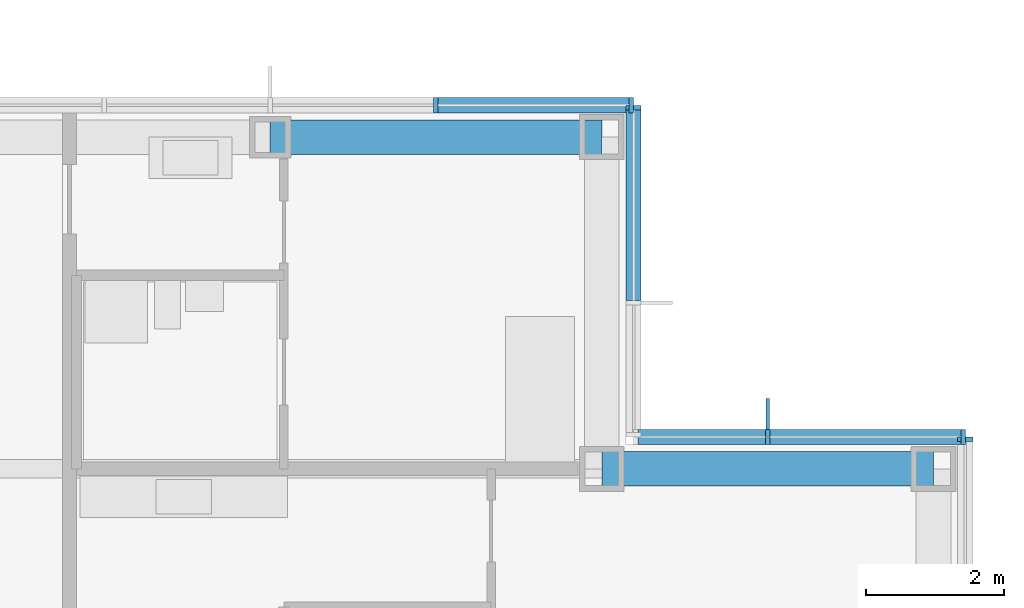
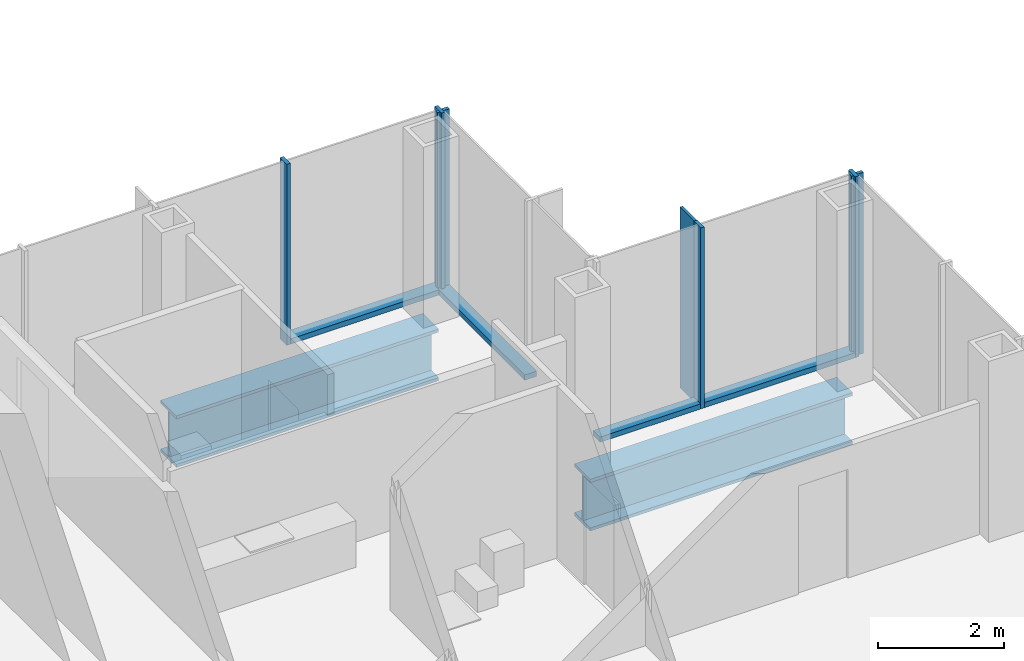
# One storey, part 9 of 20: 11 members, 2 beams, 4 elements without a shape of their own.
"""IFC4 building model written with IfcOpenShell, lengths in metres."""

from ifc_helpers import new_model, si_unit, direction, frame, origin, origin_2d, place, context, subcontext, project, spatial, rectangle, i_section, extrude, material, material_profile, profile_set, type_object, element, aggregate, save


model = new_model("IFC4")

# Units and contexts
model_context = context("Model", 3, precision=1e-05, world=origin(), true_north=direction((0.0, 1.0)))
body_context = subcontext(model_context, "Body", "Model", "MODEL_VIEW")
ifc_project = project(units=[si_unit("LENGTHUNIT", "METRE"), si_unit("AREAUNIT", "SQUARE_METRE"), si_unit("VOLUMEUNIT", "CUBIC_METRE"), si_unit("PLANEANGLEUNIT", "RADIAN"), si_unit("MASSUNIT", "GRAM", prefix="KILO")], contexts=[model_context])

# Site, building, storey
site_placement = place(None, origin())
site = spatial("IfcSite", under=ifc_project, at=site_placement, CompositionType="ELEMENT")
building_placement = place(site_placement, origin())
building = spatial("IfcBuilding", under=site, at=building_placement, Name="Kvirike Care Tower", CompositionType="ELEMENT")
storey_placement = place(building_placement, frame((0.0, 0.0, 105.0)))
storey = spatial("IfcBuildingStorey", under=building, at=storey_placement, Name="L28", CompositionType="ELEMENT", Elevation=105.0)

# Curtain wall, member
ifc_material_1 = material(Name="Anodised aluminium stick system", Category="aluminium")
curtain_wall_type = type_object("IfcCurtainWallType", Name="CW-B STICK CURTAIN WALL", PredefinedType="NOTDEFINED", material=ifc_material_1)
curtain_wall_1_placement = place(storey_placement, origin())
curtain_wall_1 = element("IfcCurtainWall", 1, at=curtain_wall_1_placement, inside=storey, type_object=curtain_wall_type, Name="Curtain wall L28 face 2", PredefinedType="NOTDEFINED")
ifc_material_2 = material(Name="Bronze anodised aluminium fin", Category="aluminium")
ifc_material_profile_1 = material_profile(ifc_material_2, rectangle(XDim=0.050048828125, YDim=0.449951171875, at=origin_2d()), Name="BRONZE FIN 450")
ifc_profile_set_1 = profile_set([ifc_material_profile_1], Name="Bronze anodised aluminium fin")
member_type_1 = type_object("IfcMemberType", Name="BRONZE FIN 450", PredefinedType="USERDEFINED", material=ifc_profile_set_1)
member_1_placement = place(storey_placement, frame((40.800048828125, 39.195068359375, 0.0), z_axis=(0.0, 0.0, 1.0), x_axis=(-1.0, 0.0, 0.0)))
member_1 = element("IfcMember", 2, at=member_1_placement, type_object=member_type_1, Name="Bronze fin L28 face 2.2", ObjectType="FIN", PredefinedType="USERDEFINED", context=body_context, shape_type="SweptSolid", body=[
    extrude(rectangle(XDim=0.050048828125, YDim=0.449951171875, at=origin_2d()), origin(), (0.0, 0.0, 1.0), 3.5),
])

curtain_wall_2_placement = place(storey_placement, origin())
curtain_wall_2 = element("IfcCurtainWall", 3, at=curtain_wall_2_placement, inside=storey, type_object=curtain_wall_type, Name="Curtain wall L28 face 1", PredefinedType="NOTDEFINED")
ifc_material_3 = material(Name="Bronze anodised aluminium mullion", Category="aluminium")
ifc_material_profile_2 = material_profile(ifc_material_3, rectangle(XDim=0.06494140625, YDim=0.219970703125, at=origin_2d()), Name="CW-B MULLION 65x220")
ifc_profile_set_2 = profile_set([ifc_material_profile_2], Name="Bronze anodised aluminium mullion")
member_type_2 = type_object("IfcMemberType", Name="CW-B MULLION 65x220", PredefinedType="MULLION", material=ifc_profile_set_2)
member_2_placement = place(storey_placement, frame((43.659912109375, 38.827392578125, 0.0), z_axis=(0.0, 0.0, 1.0), x_axis=(0.0, 1.0, 0.0)))
member_2 = element("IfcMember", 4, at=member_2_placement, type_object=member_type_2, Name="CW-B mullion L28 face 1.9", PredefinedType="MULLION", context=body_context, shape_type="SweptSolid", body=[
    extrude(rectangle(XDim=0.06494140625, YDim=0.219970703125, at=origin_2d()), origin(), (0.0, 0.0, 1.0), 3.5),
])
aggregate(curtain_wall_2, [member_2])

# Member
member_3_placement = place(storey_placement, frame((43.62744140625, 38.860107421875, 0.0), z_axis=(0.0, 0.0, 1.0), x_axis=(-1.0, 0.0, 0.0)))
member_3 = element("IfcMember", 5, at=member_3_placement, type_object=member_type_2, Name="CW-B mullion L28 face 2.1", PredefinedType="MULLION", context=body_context, shape_type="SweptSolid", body=[
    extrude(rectangle(XDim=0.06494140625, YDim=0.219970703125, at=origin_2d()), origin(), (0.0, 0.0, 1.0), 3.5),
])

member_4_placement = place(storey_placement, frame((40.800048828125, 38.860107421875, 0.0), z_axis=(0.0, 0.0, 1.0), x_axis=(-1.0, 0.0, 0.0)))
member_4 = element("IfcMember", 6, at=member_4_placement, type_object=member_type_2, Name="CW-B mullion L28 face 2.2", PredefinedType="MULLION", context=body_context, shape_type="SweptSolid", body=[
    extrude(rectangle(XDim=0.06494140625, YDim=0.219970703125, at=origin_2d()), origin(), (0.0, 0.0, 1.0), 3.5),
])

# Curtain wall, member
curtain_wall_3_placement = place(storey_placement, origin())
curtain_wall_3 = element("IfcCurtainWall", 7, at=curtain_wall_3_placement, inside=storey, type_object=curtain_wall_type, Name="Curtain wall L28 face 3", PredefinedType="NOTDEFINED")
member_5_placement = place(storey_placement, frame((38.860107421875, 43.62744140625, 0.0), z_axis=(0.0, 0.0, 1.0), x_axis=(0.0, 1.0, 0.0)))
member_5 = element("IfcMember", 8, at=member_5_placement, type_object=member_type_2, Name="CW-B mullion L28 face 3.3", PredefinedType="MULLION", context=body_context, shape_type="SweptSolid", body=[
    extrude(rectangle(XDim=0.06494140625, YDim=0.219970703125, at=origin_2d()), origin(), (0.0, 0.0, 1.0), 3.5),
])

# Curtain wall, members
curtain_wall_4_placement = place(storey_placement, origin())
curtain_wall_4 = element("IfcCurtainWall", 9, at=curtain_wall_4_placement, inside=storey, type_object=curtain_wall_type, Name="Curtain wall L28 face 4", PredefinedType="NOTDEFINED")
member_6_placement = place(storey_placement, frame((38.827392578125, 43.659912109375, 0.0), z_axis=(0.0, 0.0, 1.0), x_axis=(-1.0, 0.0, 0.0)))
member_6 = element("IfcMember", 10, at=member_6_placement, type_object=member_type_2, Name="CW-B mullion L28 face 4.1", PredefinedType="MULLION", context=body_context, shape_type="SweptSolid", body=[
    extrude(rectangle(XDim=0.06494140625, YDim=0.219970703125, at=origin_2d()), origin(), (0.0, 0.0, 1.0), 3.5),
])
member_7_placement = place(storey_placement, frame((36.0, 43.659912109375, 0.0), z_axis=(0.0, 0.0, 1.0), x_axis=(-1.0, 0.0, 0.0)))
member_7 = element("IfcMember", 11, at=member_7_placement, type_object=member_type_2, Name="CW-B mullion L28 face 4.2", PredefinedType="MULLION", context=body_context, shape_type="SweptSolid", body=[
    extrude(rectangle(XDim=0.06494140625, YDim=0.219970703125, at=origin_2d()), origin(), (0.0, 0.0, 1.0), 3.5),
])

# Member
ifc_material_4 = material(Name="Bronze anodised aluminium transom", Category="aluminium")
ifc_material_profile_3 = material_profile(ifc_material_4, rectangle(XDim=0.219970703125, YDim=0.10009765625, at=origin_2d()), Name="CW-B TRANSOM 220x100")
ifc_profile_set_3 = profile_set([ifc_material_profile_3], Name="Bronze anodised aluminium transom")
member_type_3 = type_object("IfcMemberType", Name="CW-B TRANSOM 220x100", PredefinedType="USERDEFINED", material=ifc_profile_set_3)
member_8_placement = place(storey_placement, frame((43.594970703125, 38.860107421875, 0.050048828125), z_axis=(-1.0, 0.0, 0.0), x_axis=(0.0, -1.0, 0.0)))
member_8 = element("IfcMember", 12, at=member_8_placement, type_object=member_type_3, Name="CW-B sill transom L28 face 2.1", ObjectType="TRANSOM", PredefinedType="USERDEFINED", context=body_context, shape_type="SweptSolid", body=[
    extrude(rectangle(XDim=0.219970703125, YDim=0.10009765625, at=origin_2d()), origin(), (0.0, 0.0, 1.0), 2.762451171875),
])

member_9_placement = place(storey_placement, frame((40.767578125, 38.860107421875, 0.050048828125), z_axis=(-1.0, 0.0, 0.0), x_axis=(0.0, -1.0, 0.0)))
member_9 = element("IfcMember", 13, at=member_9_placement, type_object=member_type_3, Name="CW-B sill transom L28 face 2.2", ObjectType="TRANSOM", PredefinedType="USERDEFINED", context=body_context, shape_type="SweptSolid", body=[
    extrude(rectangle(XDim=0.219970703125, YDim=0.10009765625, at=origin_2d()), origin(), (0.0, 0.0, 1.0), 1.842529296875),
])

aggregate(curtain_wall_1, [member_3, member_4, member_1, member_8, member_9])

member_10_placement = place(storey_placement, frame((38.860107421875, 40.83251953125, 0.050048828125), z_axis=(0.0, 1.0, 0.0), x_axis=(-1.0, 0.0, 0.0)))
member_10 = element("IfcMember", 14, at=member_10_placement, type_object=member_type_3, Name="CW-B sill transom L28 face 3.2", ObjectType="TRANSOM", PredefinedType="USERDEFINED", context=body_context, shape_type="SweptSolid", body=[
    extrude(rectangle(XDim=0.219970703125, YDim=0.10009765625, at=origin_2d()), origin(), (0.0, 0.0, 1.0), 2.762451171875),
])

aggregate(curtain_wall_3, [member_5, member_10])

member_11_placement = place(storey_placement, frame((38.794921875, 43.659912109375, 0.050048828125), z_axis=(-1.0, 0.0, 0.0), x_axis=(0.0, -1.0, 0.0)))
member_11 = element("IfcMember", 15, at=member_11_placement, type_object=member_type_3, Name="CW-B sill transom L28 face 4.1", ObjectType="TRANSOM", PredefinedType="USERDEFINED", context=body_context, shape_type="SweptSolid", body=[
    extrude(rectangle(XDim=0.219970703125, YDim=0.10009765625, at=origin_2d()), origin(), (0.0, 0.0, 1.0), 2.762451171875),
])

aggregate(curtain_wall_4, [member_6, member_7, member_11])

# Beams
ifc_material_5 = material(Name="Steel S355", Category="steel")
ifc_material_profile_4 = material_profile(ifc_material_5, i_section(OverallWidth=0.5, OverallDepth=1.0, WebThickness=0.030029296875, FlangeThickness=0.06005859375, at=origin_2d()), Name="PG 1000x500x30x60")
ifc_profile_set_4 = profile_set([ifc_material_profile_4], Name="Steel S355")
beam_type = type_object("IfcBeamType", Name="SPANDREL PG 1000x500x30x60", PredefinedType="SPANDREL", material=ifc_profile_set_4)
beam_1_placement = place(storey_placement, frame((38.39990234375, 38.39990234375, -0.669921875), z_axis=(1.0, 0.0, 0.0), x_axis=(0.0, 1.0, 0.0)))
element("IfcBeam", 16, at=beam_1_placement, inside=storey, type_object=beam_type, Name="Spandrel J11-J12 L28", PredefinedType="SPANDREL", context=body_context, shape_type="SweptSolid", body=[
    extrude(i_section(OverallWidth=0.5, OverallDepth=1.0, WebThickness=0.030029296875, FlangeThickness=0.06005859375, at=origin_2d()), origin(), (0.0, 0.0, 1.0), 4.800048828125),
])
beam_2_placement = place(storey_placement, frame((33.60009765625, 43.199951171875, -0.669921875), z_axis=(1.0, 0.0, 0.0), x_axis=(0.0, 1.0, 0.0)))
element("IfcBeam", 17, at=beam_2_placement, inside=storey, type_object=beam_type, Name="Spandrel K10-K11 L28", PredefinedType="SPANDREL", context=body_context, shape_type="SweptSolid", body=[
    extrude(i_section(OverallWidth=0.5, OverallDepth=1.0, WebThickness=0.030029296875, FlangeThickness=0.06005859375, at=origin_2d()), origin(), (0.0, 0.0, 1.0), 4.7998046875),
])

save(model, "model.ifc")
